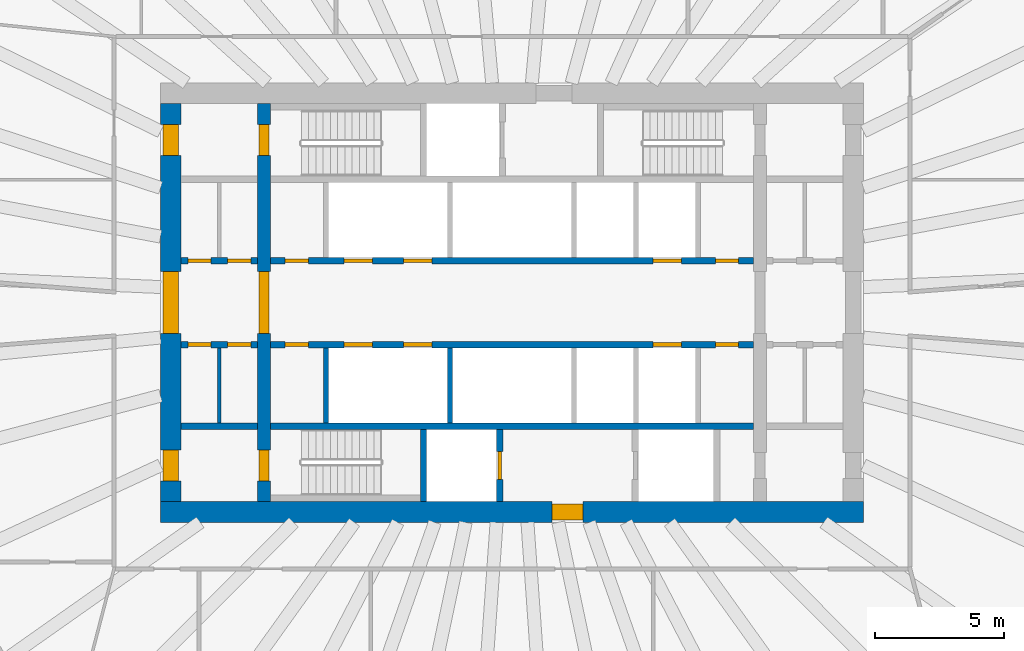
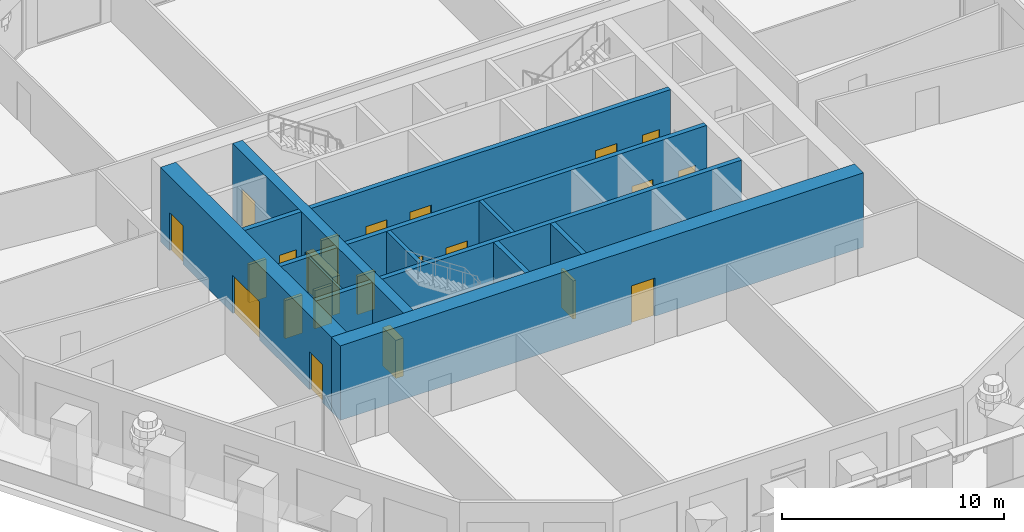
# One storey, part 4 of 12: 22 doors, 14 walls, 22 openings.
"""IFC4 building model written with IfcOpenShell, lengths in metres."""

import ifcopenshell
import ifcopenshell.guid

model = None  # the IFC model being written
_history = None  # IfcOwnerHistory: only IFC2X3 demands one
_inside = {}  # id of a spatial element -> (the spatial element, [elements in it])
_under = {}  # id of a project, library or spatial element -> (it, [spatial elements below it])
_declared = {}  # id of a project -> (the project, [libraries it declares])
_typed = {}  # id of a type object -> (the type object, [elements of that type])
_made_of = {}  # id of a material, layer set ... -> (it, [elements and type objects made of it])


def new_model(schema):
    """Start an empty IFC model of exactly this schema.

    Asked for "IFC4X3", IfcOpenShell would pick the latest addendum, in which some entities
    have other attributes; the version numbers below select the first issue.
    IFC2X3 requires an IfcOwnerHistory on every rooted entity: one is made here for all.
    """
    global model, _history
    if schema == "IFC4X3":
        model = ifcopenshell.file(schema_version=(4, 3, 0, 0))
    else:
        model = ifcopenshell.file(schema=schema)
    _inside.clear()
    _under.clear()
    _declared.clear()
    _typed.clear()
    _made_of.clear()
    _history = None
    if model.schema == "IFC2X3":
        org = make("IfcOrganization", Name="unknown")
        user = make(
            "IfcPersonAndOrganization",
            ThePerson=make("IfcPerson", FamilyName="unknown"),
            TheOrganization=org,
        )
        app = make(
            "IfcApplication",
            ApplicationDeveloper=org,
            Version="unknown",
            ApplicationFullName="unknown",
            ApplicationIdentifier="unknown",
        )
        _history = make(
            "IfcOwnerHistory",
            OwningUser=user,
            OwningApplication=app,
            ChangeAction="ADDED",
            CreationDate=0,
        )
    return model


def make(cls, **values):
    """One entity of the class cls with the attributes given. An attribute that is None is left unset."""
    return model.create_entity(
        cls, **{name: value for name, value in values.items() if value is not None}
    )


def rooted(cls, **values):
    """An entity with a GlobalId (a new one), such as an element, a storey or a relation."""
    return make(cls, GlobalId=ifcopenshell.guid.new(), OwnerHistory=_history, **values)


def si_unit(unit_type, name, prefix=None):
    """IfcSIUnit, for example si_unit("LENGTHUNIT", "METRE", prefix="MILLI")."""
    return make("IfcSIUnit", UnitType=unit_type, Prefix=prefix, Name=name)


def assignment(units):
    """IfcUnitAssignment: the units of a project."""
    return None if units is None else make("IfcUnitAssignment", Units=units)


def point(xyz):
    """IfcCartesianPoint."""
    return None if xyz is None else make("IfcCartesianPoint", Coordinates=xyz)


def direction(xyz):
    """IfcDirection."""
    return None if xyz is None else make("IfcDirection", DirectionRatios=xyz)


def frame(location, z_axis=None, x_axis=None):
    """IfcAxis2Placement3D, a coordinate frame: its origin and axes. An axis left out is left unset."""
    return make(
        "IfcAxis2Placement3D",
        Location=point(location),
        Axis=direction(z_axis),
        RefDirection=direction(x_axis),
    )


def frame_2d(location, x_axis=None):
    """IfcAxis2Placement2D, a coordinate frame in the plane: its origin and x axis."""
    return make(
        "IfcAxis2Placement2D", Location=point(location), RefDirection=direction(x_axis)
    )


def origin():
    """The frame at (0, 0, 0) with its axes left unset."""
    return frame((0.0, 0.0, 0.0))


def place(relative_to, where):
    """IfcLocalPlacement: puts the frame where relative to a parent placement (None: the world)."""
    return make(
        "IfcLocalPlacement", PlacementRelTo=relative_to, RelativePlacement=where
    )


def context(
    kind, dimensions, precision=None, world=None, true_north=None, identifier=None
):
    """IfcGeometricRepresentationContext, for example the 3D "Model" context."""
    return make(
        "IfcGeometricRepresentationContext",
        ContextIdentifier=identifier,
        ContextType=kind,
        CoordinateSpaceDimension=dimensions,
        Precision=precision,
        WorldCoordinateSystem=world,
        TrueNorth=true_north,
    )


def subcontext(parent, identifier, kind, view, scale=None):
    """IfcGeometricRepresentationSubContext, for example "Body" below "Model"."""
    return make(
        "IfcGeometricRepresentationSubContext",
        ContextIdentifier=identifier,
        ContextType=kind,
        ParentContext=parent,
        TargetScale=scale,
        TargetView=view,
    )


def project(units=None, contexts=None):
    """IfcProject with its units and contexts."""
    return rooted(
        "IfcProject",
        Name="project",
        RepresentationContexts=contexts,
        UnitsInContext=assignment(units),
    )


def spatial(cls, under=None, at=None, **own):
    """A site, building, storey or space (cls), placed at a placement, below another one or the project."""
    s = rooted(cls, ObjectPlacement=at, **own)
    if under is not None:
        _under.setdefault(under.id(), (under, []))[1].append(s)
    return s


def profile(cls, at=None, kind="AREA", **sizes):
    """A parametric profile (cls). Its sizes go by their IFC names, for example OverallWidth=200.0."""
    return make(cls, ProfileType=kind, Position=at, **sizes)


def rectangle(**sizes):
    """IfcRectangleProfileDef."""
    return profile("IfcRectangleProfileDef", **sizes)


def extrude(swept, where, along, depth):
    """IfcExtrudedAreaSolid: the profile swept, set in the frame where, extruded along a direction by depth."""
    return make(
        "IfcExtrudedAreaSolid",
        SweptArea=swept,
        Position=where,
        ExtrudedDirection=direction(along),
        Depth=depth,
    )


def shape(context_of_items, identifier, shape_type, items):
    """IfcShapeRepresentation: the items that make up one representation, for example the "Body"."""
    return make(
        "IfcShapeRepresentation",
        ContextOfItems=context_of_items,
        RepresentationIdentifier=identifier,
        RepresentationType=shape_type,
        Items=items,
    )


def material(Name=None, Category=None):
    """IfcMaterial."""
    return make("IfcMaterial", Name=Name, Category=Category)


def layer(
    of_material, thickness, ventilated=None, Name=None, Category=None, Priority=None
):
    """IfcMaterialLayer: one layer of a wall or slab, of a material (None: an air gap)."""
    return make(
        "IfcMaterialLayer",
        Material=of_material,
        LayerThickness=thickness,
        IsVentilated=ventilated,
        Name=Name,
        Category=Category,
        Priority=Priority,
    )


def layer_set(layers, Name=None):
    """IfcMaterialLayerSet."""
    return make("IfcMaterialLayerSet", MaterialLayers=layers, LayerSetName=Name)


def made_of(thing, what):
    """Note that an element or type object is made of a material, layer set ...; save() writes the relation."""
    if what is not None:
        _made_of.setdefault(what.id(), (what, []))[1].append(thing)
    return thing


def type_object(cls, material=None, **own):
    """A type object (cls), such as IfcWallType, which elements share."""
    return made_of(rooted(cls, **own), material)


def element(
    cls,
    number,
    at=None,
    inside=None,
    cuts=None,
    type_object=None,
    material=None,
    context=None,
    identifier="Body",
    shape_type=None,
    held_by="IfcProductDefinitionShape",
    body=None,
    shapes=None,
    **own,
):
    """One element of the class cls, such as IfcWall. Its Tag is "e" and its number.

    at: its placement. inside: the storey or other place that contains it. cuts: it is an
    opening in that element (IfcRelVoidsElement). A single representation is given by context,
    identifier, shape_type and body (its items); several are given by shapes. held_by: the class
    of the entity that holds the representations. save() writes the other relations.
    """
    e = rooted(cls, Tag="e%d" % number, ObjectPlacement=at, **own)
    if body is not None:
        shapes = [shape(context, identifier, shape_type, body)]
    if shapes is not None:
        e.Representation = make(held_by, Representations=shapes)
    if inside is not None:
        _inside.setdefault(inside.id(), (inside, []))[1].append(e)
    if cuts is not None:
        rooted(
            "IfcRelVoidsElement", RelatingBuildingElement=cuts, RelatedOpeningElement=e
        )
    if type_object is not None:
        _typed.setdefault(type_object.id(), (type_object, []))[1].append(e)
    return made_of(e, material)


def fill(opening, filler):
    """IfcRelFillsElement: the door or window that sits in an opening."""
    return rooted(
        "IfcRelFillsElement",
        RelatingOpeningElement=opening,
        RelatedBuildingElement=filler,
    )


def aggregate(whole, parts):
    """IfcRelAggregates: a whole, such as a stair, and the parts it consists of."""
    return rooted("IfcRelAggregates", RelatingObject=whole, RelatedObjects=parts)


def save(model, path):
    """Write the relations noted so far, then the file.

    IfcRelAggregates (storeys below a building ...), IfcRelContainedInSpatialStructure (elements
    in a storey), IfcRelDefinesByType, IfcRelAssociatesMaterial and IfcRelDeclares: one each for
    every whole, place, type object, material and project.
    """
    for whole, parts in _under.values():
        aggregate(whole, parts)
    for where, things in _inside.values():
        rooted(
            "IfcRelContainedInSpatialStructure",
            RelatedElements=things,
            RelatingStructure=where,
        )
    for kind, things in _typed.values():
        rooted("IfcRelDefinesByType", RelatedObjects=things, RelatingType=kind)
    for what, things in _made_of.values():
        rooted("IfcRelAssociatesMaterial", RelatedObjects=things, RelatingMaterial=what)
    for by, libraries in _declared.values():
        rooted("IfcRelDeclares", RelatingContext=by, RelatedDefinitions=libraries)
    model.write(path)


model = new_model("IFC4")

# Units and contexts
model_context = context("Model", 3, precision=1e-05, world=origin(), true_north=direction((0.0, 1.0)))
body_context = subcontext(model_context, "Body", "Model", "MODEL_VIEW")
ifc_project = project(units=[si_unit("LENGTHUNIT", "METRE"), si_unit("AREAUNIT", "SQUARE_METRE"), si_unit("VOLUMEUNIT", "CUBIC_METRE"), si_unit("PLANEANGLEUNIT", "RADIAN"), si_unit("MASSUNIT", "GRAM", prefix="KILO")], contexts=[model_context])

# Site, building, storey
site_placement = place(None, origin())
site = spatial("IfcSite", under=ifc_project, at=site_placement, CompositionType="ELEMENT")
building_placement = place(site_placement, origin())
building = spatial("IfcBuilding", under=site, at=building_placement, Name="Frailejon Research Tower", CompositionType="ELEMENT")
storey_placement = place(building_placement, frame((0.0, 0.0, 122.0)))
storey = spatial("IfcBuildingStorey", under=building, at=storey_placement, Name="L26", CompositionType="ELEMENT", Elevation=122.0)

# Wall
ifc_material_1 = material(Name="Plasterboard on steel studs", Category="steel")
ifc_layer_1 = layer(ifc_material_1, 0.125)
ifc_layer_set_1 = layer_set([ifc_layer_1], Name="Core partition 125")
wall_type_1 = type_object("IfcWallType", Name="Core partition 125", PredefinedType="PARTITIONING", material=ifc_layer_set_1)
wall_1_placement = place(storey_placement, frame((-11.324951171875, -4.64990234375, 0.0), z_axis=(0.0, 0.0, 1.0), x_axis=(0.0, 1.0, 0.0)))
element("IfcWall", 1, at=wall_1_placement, inside=storey, type_object=wall_type_1, Name="Core partition", PredefinedType="PARTITIONING", context=body_context, shape_type="SweptSolid", body=[
    extrude(rectangle(XDim=2.89990234375, YDim=0.125, at=frame_2d((1.449951171875, 0.0))), origin(), (0.0, 0.0, 1.0), 4.10009765625),
])

# Wall, openings, doors
ifc_material_2 = material(Name="Concrete C70/85", Category="concrete")
ifc_layer_2 = layer(ifc_material_2, 0.5)
ifc_layer_set_2 = layer_set([ifc_layer_2], Name="Core shear wall 500 C70/85")
wall_type_2 = type_object("IfcWallType", Name="Core shear wall 500 C70/85", PredefinedType="SHEAR", material=ifc_layer_set_2)
wall_2_placement = place(storey_placement, frame((-9.60009765625, -7.699951171875, 0.0), z_axis=(0.0, 0.0, 1.0), x_axis=(0.0, 1.0, 0.0)))
wall_2 = element("IfcWall", 2, at=wall_2_placement, inside=storey, type_object=wall_type_2, Name="Core shear wall", PredefinedType="SHEAR", context=body_context, shape_type="SweptSolid", body=[
    extrude(rectangle(XDim=15.39990234375, YDim=0.5, at=frame_2d((7.699951171875, 0.0))), origin(), (0.0, 0.0, 1.0), 4.10009765625),
])
opening_1_placement = place(wall_2_placement, frame((6.5, 0.0, 0.0)))
opening_1 = element("IfcOpeningElement", 3, at=opening_1_placement, cuts=wall_2, Name="Opening D2", PredefinedType="OPENING", context=body_context, shape_type="SweptSolid", body=[
    extrude(rectangle(XDim=2.39990234375, YDim=2.10009765625, at=frame_2d((1.199951171875, 1.050048828125))), frame((0.0, 0.260009765625, 0.0), z_axis=(0.0, -1.0, 0.0), x_axis=(1.0, 0.0, 0.0)), (0.0, 0.0, 1.0), 0.52001953125),
])
opening_2_placement = place(wall_2_placement, frame((13.39990234375, 0.0, 0.0)))
opening_2 = element("IfcOpeningElement", 4, at=opening_2_placement, cuts=wall_2, Name="Opening D1", PredefinedType="OPENING", context=body_context, shape_type="SweptSolid", body=[
    extrude(rectangle(XDim=1.199951171875, YDim=2.10009765625, at=frame_2d((0.60009765625, 1.050048828125))), frame((0.0, 0.260009765625, 0.0), z_axis=(0.0, -1.0, 0.0), x_axis=(1.0, 0.0, 0.0)), (0.0, 0.0, 1.0), 0.52001953125),
])
opening_3_placement = place(wall_2_placement, frame((0.800048828125, 0.0, 0.0)))
opening_3 = element("IfcOpeningElement", 5, at=opening_3_placement, cuts=wall_2, Name="Opening D1", PredefinedType="OPENING", context=body_context, shape_type="SweptSolid", body=[
    extrude(rectangle(XDim=1.199951171875, YDim=2.10009765625, at=frame_2d((0.60009765625, 1.050048828125))), frame((0.0, 0.260009765625, 0.0), z_axis=(0.0, -1.0, 0.0), x_axis=(1.0, 0.0, 0.0)), (0.0, 0.0, 1.0), 0.52001953125),
])
ifc_material_3 = material(Name="Steel", Category="steel")
door_type_1 = type_object("IfcDoorType", Name="Lobby double door", OperationType="DOUBLE_DOOR_SINGLE_SWING", PredefinedType="DOOR", material=ifc_material_3)
door_1_placement = place(opening_1_placement, origin())
door_1 = element("IfcDoor", 6, at=door_1_placement, inside=storey, type_object=door_type_1, Name="Lobby door", OperationType="DOUBLE_DOOR_SINGLE_SWING", OverallHeight=2.10009765625, OverallWidth=2.39990234375, PredefinedType="DOOR", context=body_context, shape_type="SweptSolid", body=[
    extrude(rectangle(XDim=2.39990234375, YDim=2.10009765625, at=frame_2d((1.199951171875, 1.050048828125))), frame((0.0, 0.199951171875, 0.0), z_axis=(0.0, -1.0, 0.0), x_axis=(1.0, 0.0, 0.0)), (0.0, 0.0, 1.0), 0.39990234375),
])
fill(opening_1, door_1)
ifc_material_4 = material(Name="Steel", Category="steel")
door_type_2 = type_object("IfcDoorType", Name="Stair door", OperationType="SINGLE_SWING_LEFT", PredefinedType="DOOR", material=ifc_material_4)
door_2_placement = place(opening_2_placement, origin())
door_2 = element("IfcDoor", 7, at=door_2_placement, inside=storey, type_object=door_type_2, Name="Stair door ST1", OperationType="SINGLE_SWING_RIGHT", OverallHeight=2.10009765625, OverallWidth=1.199951171875, PredefinedType="DOOR", context=body_context, shape_type="SweptSolid", body=[
    extrude(rectangle(XDim=1.199951171875, YDim=2.10009765625, at=frame_2d((0.60009765625, 1.050048828125))), frame((0.0, 0.199951171875, 0.0), z_axis=(0.0, -1.0, 0.0), x_axis=(1.0, 0.0, 0.0)), (0.0, 0.0, 1.0), 0.39990234375),
])
fill(opening_2, door_2)
door_3_placement = place(opening_3_placement, origin())
door_3 = element("IfcDoor", 8, at=door_3_placement, inside=storey, type_object=door_type_2, Name="Stair door ST2", OperationType="SINGLE_SWING_RIGHT", OverallHeight=2.10009765625, OverallWidth=1.199951171875, PredefinedType="DOOR", context=body_context, shape_type="SweptSolid", body=[
    extrude(rectangle(XDim=1.199951171875, YDim=2.10009765625, at=frame_2d((0.60009765625, 1.050048828125))), frame((0.0, 0.199951171875, 0.0), z_axis=(0.0, -1.0, 0.0), x_axis=(1.0, 0.0, 0.0)), (0.0, 0.0, 1.0), 0.39990234375),
])
fill(opening_3, door_3)

# Wall, opening, door
ifc_material_5 = material(Name="Concrete C70/85", Category="concrete")
ifc_layer_3 = layer(ifc_material_5, 0.800048828125)
ifc_layer_set_3 = layer_set([ifc_layer_3], Name="Core shear wall 800 C70/85")
wall_type_3 = type_object("IfcWallType", Name="Core shear wall 800 C70/85", PredefinedType="SHEAR", material=ifc_layer_set_3)
wall_3_placement = place(storey_placement, frame((-13.60009765625, -8.10009765625, 0.0), z_axis=(0.0, 0.0, 1.0), x_axis=(1.0, 0.0, 0.0)))
wall_3 = element("IfcWall", 9, at=wall_3_placement, inside=storey, type_object=wall_type_3, Name="Core shear wall", PredefinedType="SHEAR", context=body_context, shape_type="SweptSolid", body=[
    extrude(rectangle(XDim=27.2001953125, YDim=0.800048828125, at=frame_2d((13.60009765625, 0.0))), origin(), (0.0, 0.0, 1.0), 4.10009765625),
])
opening_4_placement = place(wall_3_placement, frame((15.14990234375, 0.0, 0.0)))
opening_4 = element("IfcOpeningElement", 10, at=opening_4_placement, cuts=wall_3, Name="Opening D3", PredefinedType="OPENING", context=body_context, shape_type="SweptSolid", body=[
    extrude(rectangle(XDim=1.199951171875, YDim=2.10009765625, at=frame_2d((0.60009765625, 1.050048828125))), frame((0.0, 0.409912109375, 0.0), z_axis=(0.0, -1.0, 0.0), x_axis=(1.0, 0.0, 0.0)), (0.0, 0.0, 1.0), 0.820068359375),
])
ifc_material_6 = material(Name="Steel", Category="steel")
door_type_3 = type_object("IfcDoorType", Name="Firefighting lobby door", OperationType="SINGLE_SWING_LEFT", PredefinedType="DOOR", material=ifc_material_6)
door_4_placement = place(opening_4_placement, origin())
door_4 = element("IfcDoor", 11, at=door_4_placement, inside=storey, type_object=door_type_3, Name="Firefighting lobby door", OperationType="SINGLE_SWING_RIGHT", OverallHeight=2.10009765625, OverallWidth=1.199951171875, PredefinedType="DOOR", context=body_context, shape_type="SweptSolid", body=[
    extrude(rectangle(XDim=1.199951171875, YDim=2.10009765625, at=frame_2d((0.60009765625, 1.050048828125))), frame((0.0, 0.300048828125, 0.0), z_axis=(0.0, -1.0, 0.0), x_axis=(1.0, 0.0, 0.0)), (0.0, 0.0, 1.0), 0.60009765625),
])
fill(opening_4, door_4)

# Wall, openings, doors
wall_4_placement = place(storey_placement, frame((-13.199951171875, -7.699951171875, 0.0), z_axis=(0.0, 0.0, 1.0), x_axis=(0.0, 1.0, 0.0)))
wall_4 = element("IfcWall", 12, at=wall_4_placement, inside=storey, type_object=wall_type_3, Name="Core shear wall", PredefinedType="SHEAR", context=body_context, shape_type="SweptSolid", body=[
    extrude(rectangle(XDim=15.39990234375, YDim=0.800048828125, at=frame_2d((7.699951171875, 0.0))), origin(), (0.0, 0.0, 1.0), 4.10009765625),
])
opening_5_placement = place(wall_4_placement, frame((6.5, 0.0, 0.0)))
opening_5 = element("IfcOpeningElement", 13, at=opening_5_placement, cuts=wall_4, Name="Opening D2", PredefinedType="OPENING", context=body_context, shape_type="SweptSolid", body=[
    extrude(rectangle(XDim=2.39990234375, YDim=2.10009765625, at=frame_2d((1.199951171875, 1.050048828125))), frame((0.0, 0.409912109375, 0.0), z_axis=(0.0, -1.0, 0.0), x_axis=(1.0, 0.0, 0.0)), (0.0, 0.0, 1.0), 0.820068359375),
])
opening_6_placement = place(wall_4_placement, frame((13.39990234375, 0.0, 0.0)))
opening_6 = element("IfcOpeningElement", 14, at=opening_6_placement, cuts=wall_4, Name="Opening D7", PredefinedType="OPENING", context=body_context, shape_type="SweptSolid", body=[
    extrude(rectangle(XDim=1.199951171875, YDim=2.10009765625, at=frame_2d((0.60009765625, 1.050048828125))), frame((0.0, 0.409912109375, 0.0), z_axis=(0.0, -1.0, 0.0), x_axis=(1.0, 0.0, 0.0)), (0.0, 0.0, 1.0), 0.820068359375),
])
opening_7_placement = place(wall_4_placement, frame((0.800048828125, 0.0, 0.0)))
opening_7 = element("IfcOpeningElement", 15, at=opening_7_placement, cuts=wall_4, Name="Opening D7", PredefinedType="OPENING", context=body_context, shape_type="SweptSolid", body=[
    extrude(rectangle(XDim=1.199951171875, YDim=2.10009765625, at=frame_2d((0.60009765625, 1.050048828125))), frame((0.0, 0.409912109375, 0.0), z_axis=(0.0, -1.0, 0.0), x_axis=(1.0, 0.0, 0.0)), (0.0, 0.0, 1.0), 0.820068359375),
])
door_5_placement = place(opening_5_placement, origin())
door_5 = element("IfcDoor", 16, at=door_5_placement, inside=storey, type_object=door_type_1, Name="Lobby door", OperationType="DOUBLE_DOOR_SINGLE_SWING", OverallHeight=2.10009765625, OverallWidth=2.39990234375, PredefinedType="DOOR", context=body_context, shape_type="SweptSolid", body=[
    extrude(rectangle(XDim=2.39990234375, YDim=2.10009765625, at=frame_2d((1.199951171875, 1.050048828125))), frame((0.0, 0.300048828125, 0.0), z_axis=(0.0, -1.0, 0.0), x_axis=(1.0, 0.0, 0.0)), (0.0, 0.0, 1.0), 0.60009765625),
])
fill(opening_5, door_5)
ifc_material_7 = material(Name="Steel", Category="steel")
door_type_4 = type_object("IfcDoorType", Name="Stair exit door", OperationType="SINGLE_SWING_LEFT", PredefinedType="DOOR", material=ifc_material_7)
door_6_placement = place(opening_6_placement, origin())
door_6 = element("IfcDoor", 17, at=door_6_placement, inside=storey, type_object=door_type_4, Name="Stair exit door ST1", OperationType="SINGLE_SWING_LEFT", OverallHeight=2.10009765625, OverallWidth=1.199951171875, PredefinedType="DOOR", context=body_context, shape_type="SweptSolid", body=[
    extrude(rectangle(XDim=1.199951171875, YDim=2.10009765625, at=frame_2d((0.60009765625, 1.050048828125))), frame((0.0, 0.300048828125, 0.0), z_axis=(0.0, -1.0, 0.0), x_axis=(1.0, 0.0, 0.0)), (0.0, 0.0, 1.0), 0.60009765625),
])
fill(opening_6, door_6)
door_7_placement = place(opening_7_placement, origin())
door_7 = element("IfcDoor", 18, at=door_7_placement, inside=storey, type_object=door_type_4, Name="Stair exit door ST2", OperationType="SINGLE_SWING_LEFT", OverallHeight=2.10009765625, OverallWidth=1.199951171875, PredefinedType="DOOR", context=body_context, shape_type="SweptSolid", body=[
    extrude(rectangle(XDim=1.199951171875, YDim=2.10009765625, at=frame_2d((0.60009765625, 1.050048828125))), frame((0.0, 0.300048828125, 0.0), z_axis=(0.0, -1.0, 0.0), x_axis=(1.0, 0.0, 0.0)), (0.0, 0.0, 1.0), 0.60009765625),
])
fill(opening_7, door_7)

# Walls
ifc_material_8 = material(Name="Concrete C70/85", Category="concrete")
ifc_layer_4 = layer(ifc_material_8, 0.199951171875)
ifc_layer_set_4 = layer_set([ifc_layer_4], Name="Shaft wall 200 C70/85")
wall_type_4 = type_object("IfcWallType", Name="Shaft wall 200 C70/85", PredefinedType="SOLIDWALL", material=ifc_layer_set_4)
for number, where, z_axis, x_axis, name in (
    (19, (-7.199951171875, -4.64990234375, 0.0), (0.0, 0.0, 1.0), (0.0, 1.0, 0.0), "Shaft wall"),
    (20, (-2.39990234375, -4.64990234375, 0.0), (0.0, 0.0, 1.0), (0.0, 1.0, 0.0), "Shaft wall"),
):
    element("IfcWall", number, at=place(storey_placement, frame(where, z_axis=z_axis, x_axis=x_axis)), inside=storey, type_object=wall_type_4, Name=name, PredefinedType="SOLIDWALL", context=body_context, shape_type="SweptSolid", body=[
        extrude(rectangle(XDim=2.89990234375, YDim=0.199951171875, at=frame_2d((1.449951171875, 0.0))), origin(), (0.0, 0.0, 1.0), 4.10009765625),
    ])

# Wall, openings, doors
ifc_material_9 = material(Name="Concrete C70/85", Category="concrete")
ifc_layer_5 = layer(ifc_material_9, 0.25)
ifc_layer_set_5 = layer_set([ifc_layer_5], Name="Shaft wall 250 C70/85")
wall_type_5 = type_object("IfcWallType", Name="Shaft wall 250 C70/85", PredefinedType="SOLIDWALL", material=ifc_layer_set_5)
wall_5_placement = place(storey_placement, frame((-12.800048828125, 1.625, 0.0), z_axis=(0.0, 0.0, 1.0), x_axis=(1.0, 0.0, 0.0)))
wall_5 = element("IfcWall", 21, at=wall_5_placement, inside=storey, type_object=wall_type_5, Name="Shaft wall", PredefinedType="SOLIDWALL", context=body_context, shape_type="SweptSolid", body=[
    extrude(rectangle(XDim=2.949951171875, YDim=0.25, at=frame_2d((1.47509765625, 0.0))), origin(), (0.0, 0.0, 1.0), 4.10009765625),
])
opening_8_placement = place(wall_5_placement, frame((0.256103515625, 0.0, 0.0)))
opening_8 = element("IfcOpeningElement", 22, at=opening_8_placement, cuts=wall_5, Name="Opening D8", PredefinedType="OPENING", context=body_context, shape_type="SweptSolid", body=[
    extrude(rectangle(XDim=0.89990234375, YDim=2.10009765625, at=frame_2d((0.449951171875, 1.050048828125))), frame((0.0, 0.135009765625, 0.0), z_axis=(0.0, -1.0, 0.0), x_axis=(1.0, 0.0, 0.0)), (0.0, 0.0, 1.0), 0.27001953125),
])
opening_9_placement = place(wall_5_placement, frame((1.793701171875, 0.0, 0.0)))
opening_9 = element("IfcOpeningElement", 23, at=opening_9_placement, cuts=wall_5, Name="Opening D8", PredefinedType="OPENING", context=body_context, shape_type="SweptSolid", body=[
    extrude(rectangle(XDim=0.89990234375, YDim=2.10009765625, at=frame_2d((0.449951171875, 1.050048828125))), frame((0.0, 0.135009765625, 0.0), z_axis=(0.0, -1.0, 0.0), x_axis=(1.0, 0.0, 0.0)), (0.0, 0.0, 1.0), 0.27001953125),
])
ifc_material_10 = material(Name="Steel", Category="steel")
door_type_5 = type_object("IfcDoorType", Name="Core room door", OperationType="SINGLE_SWING_LEFT", PredefinedType="DOOR", material=ifc_material_10)
door_8_placement = place(opening_8_placement, origin())
door_8 = element("IfcDoor", 24, at=door_8_placement, inside=storey, type_object=door_type_5, Name="Room door", OperationType="SINGLE_SWING_RIGHT", OverallHeight=2.10009765625, OverallWidth=0.89990234375, PredefinedType="DOOR", context=body_context, shape_type="SweptSolid", body=[
    extrude(rectangle(XDim=0.89990234375, YDim=2.10009765625, at=frame_2d((0.449951171875, 1.050048828125))), frame((0.0, 0.074951171875, 0.0), z_axis=(0.0, -1.0, 0.0), x_axis=(1.0, 0.0, 0.0)), (0.0, 0.0, 1.0), 0.14990234375),
])
fill(opening_8, door_8)
door_9_placement = place(opening_9_placement, origin())
door_9 = element("IfcDoor", 25, at=door_9_placement, inside=storey, type_object=door_type_5, Name="Room door", OperationType="SINGLE_SWING_LEFT", OverallHeight=2.10009765625, OverallWidth=0.89990234375, PredefinedType="DOOR", context=body_context, shape_type="SweptSolid", body=[
    extrude(rectangle(XDim=0.89990234375, YDim=2.10009765625, at=frame_2d((0.449951171875, 1.050048828125))), frame((0.0, 0.074951171875, 0.0), z_axis=(0.0, -1.0, 0.0), x_axis=(1.0, 0.0, 0.0)), (0.0, 0.0, 1.0), 0.14990234375),
])
fill(opening_9, door_9)

wall_6_placement = place(storey_placement, frame((-9.35009765625, 1.625, 0.0), z_axis=(0.0, 0.0, 1.0), x_axis=(1.0, 0.0, 0.0)))
wall_6 = element("IfcWall", 26, at=wall_6_placement, inside=storey, type_object=wall_type_5, Name="Shaft wall", PredefinedType="SOLIDWALL", context=body_context, shape_type="SweptSolid", body=[
    extrude(rectangle(XDim=18.7001953125, YDim=0.25, at=frame_2d((9.35009765625, 0.0))), origin(), (0.0, 0.0, 1.0), 4.10009765625),
])
opening_10_placement = place(wall_6_placement, frame((2.85009765625, 0.0, 0.0)))
opening_10 = element("IfcOpeningElement", 27, at=opening_10_placement, cuts=wall_6, Name="Opening LD", PredefinedType="OPENING", context=body_context, shape_type="SweptSolid", body=[
    extrude(rectangle(XDim=1.10009765625, YDim=2.10009765625, at=frame_2d((0.550048828125, 1.050048828125))), frame((0.0, 0.135009765625, 0.0), z_axis=(0.0, -1.0, 0.0), x_axis=(1.0, 0.0, 0.0)), (0.0, 0.0, 1.0), 0.27001953125),
])
opening_11_placement = place(wall_6_placement, frame((5.14990234375, 0.0, 0.0)))
opening_11 = element("IfcOpeningElement", 28, at=opening_11_placement, cuts=wall_6, Name="Opening LD", PredefinedType="OPENING", context=body_context, shape_type="SweptSolid", body=[
    extrude(rectangle(XDim=1.10009765625, YDim=2.10009765625, at=frame_2d((0.550048828125, 1.050048828125))), frame((0.0, 0.135009765625, 0.0), z_axis=(0.0, -1.0, 0.0), x_axis=(1.0, 0.0, 0.0)), (0.0, 0.0, 1.0), 0.27001953125),
])
opening_12_placement = place(wall_6_placement, frame((14.800048828125, 0.0, 0.0)))
opening_12 = element("IfcOpeningElement", 29, at=opening_12_placement, cuts=wall_6, Name="Opening LD", PredefinedType="OPENING", context=body_context, shape_type="SweptSolid", body=[
    extrude(rectangle(XDim=1.10009765625, YDim=2.10009765625, at=frame_2d((0.550048828125, 1.050048828125))), frame((0.0, 0.135009765625, 0.0), z_axis=(0.0, -1.0, 0.0), x_axis=(1.0, 0.0, 0.0)), (0.0, 0.0, 1.0), 0.27001953125),
])
opening_13_placement = place(wall_6_placement, frame((0.574951171875, 0.0, 0.0)))
opening_13 = element("IfcOpeningElement", 30, at=opening_13_placement, cuts=wall_6, Name="Opening D8", PredefinedType="OPENING", context=body_context, shape_type="SweptSolid", body=[
    extrude(rectangle(XDim=0.89990234375, YDim=2.10009765625, at=frame_2d((0.449951171875, 1.050048828125))), frame((0.0, 0.135009765625, 0.0), z_axis=(0.0, -1.0, 0.0), x_axis=(1.0, 0.0, 0.0)), (0.0, 0.0, 1.0), 0.27001953125),
])
opening_14_placement = place(wall_6_placement, frame((17.22509765625, 0.0, 0.0)))
opening_14 = element("IfcOpeningElement", 31, at=opening_14_placement, cuts=wall_6, Name="Opening D8", PredefinedType="OPENING", context=body_context, shape_type="SweptSolid", body=[
    extrude(rectangle(XDim=0.89990234375, YDim=2.10009765625, at=frame_2d((0.449951171875, 1.050048828125))), frame((0.0, 0.135009765625, 0.0), z_axis=(0.0, -1.0, 0.0), x_axis=(1.0, 0.0, 0.0)), (0.0, 0.0, 1.0), 0.27001953125),
])
door_10_placement = place(opening_13_placement, origin())
door_10 = element("IfcDoor", 32, at=door_10_placement, inside=storey, type_object=door_type_5, Name="Room door", OperationType="SINGLE_SWING_RIGHT", OverallHeight=2.10009765625, OverallWidth=0.89990234375, PredefinedType="DOOR", context=body_context, shape_type="SweptSolid", body=[
    extrude(rectangle(XDim=0.89990234375, YDim=2.10009765625, at=frame_2d((0.449951171875, 1.050048828125))), frame((0.0, 0.074951171875, 0.0), z_axis=(0.0, -1.0, 0.0), x_axis=(1.0, 0.0, 0.0)), (0.0, 0.0, 1.0), 0.14990234375),
])
fill(opening_13, door_10)
door_11_placement = place(opening_14_placement, origin())
door_11 = element("IfcDoor", 33, at=door_11_placement, inside=storey, type_object=door_type_5, Name="Room door", OperationType="SINGLE_SWING_LEFT", OverallHeight=2.10009765625, OverallWidth=0.89990234375, PredefinedType="DOOR", context=body_context, shape_type="SweptSolid", body=[
    extrude(rectangle(XDim=0.89990234375, YDim=2.10009765625, at=frame_2d((0.449951171875, 1.050048828125))), frame((0.0, 0.074951171875, 0.0), z_axis=(0.0, -1.0, 0.0), x_axis=(1.0, 0.0, 0.0)), (0.0, 0.0, 1.0), 0.14990234375),
])
fill(opening_14, door_11)
ifc_material_11 = material(Name="Steel", Category="steel")
door_type_6 = type_object("IfcDoorType", Name="Lift landing door", OperationType="DOUBLE_DOOR_SLIDING", PredefinedType="DOOR", material=ifc_material_11)
door_12_placement = place(opening_10_placement, origin())
door_12 = element("IfcDoor", 34, at=door_12_placement, inside=storey, type_object=door_type_6, Name="Lift landing door", OperationType="DOUBLE_DOOR_SLIDING", OverallHeight=2.10009765625, OverallWidth=1.10009765625, PredefinedType="DOOR", context=body_context, shape_type="SweptSolid", body=[
    extrude(rectangle(XDim=1.10009765625, YDim=2.10009765625, at=frame_2d((0.550048828125, 1.050048828125))), frame((0.0, 0.074951171875, 0.0), z_axis=(0.0, -1.0, 0.0), x_axis=(1.0, 0.0, 0.0)), (0.0, 0.0, 1.0), 0.14990234375),
])
fill(opening_10, door_12)
door_13_placement = place(opening_11_placement, origin())
door_13 = element("IfcDoor", 35, at=door_13_placement, inside=storey, type_object=door_type_6, Name="Lift landing door", OperationType="DOUBLE_DOOR_SLIDING", OverallHeight=2.10009765625, OverallWidth=1.10009765625, PredefinedType="DOOR", context=body_context, shape_type="SweptSolid", body=[
    extrude(rectangle(XDim=1.10009765625, YDim=2.10009765625, at=frame_2d((0.550048828125, 1.050048828125))), frame((0.0, 0.074951171875, 0.0), z_axis=(0.0, -1.0, 0.0), x_axis=(1.0, 0.0, 0.0)), (0.0, 0.0, 1.0), 0.14990234375),
])
fill(opening_11, door_13)
door_14_placement = place(opening_12_placement, origin())
door_14 = element("IfcDoor", 36, at=door_14_placement, inside=storey, type_object=door_type_6, Name="Lift landing door", OperationType="DOUBLE_DOOR_SLIDING", OverallHeight=2.10009765625, OverallWidth=1.10009765625, PredefinedType="DOOR", context=body_context, shape_type="SweptSolid", body=[
    extrude(rectangle(XDim=1.10009765625, YDim=2.10009765625, at=frame_2d((0.550048828125, 1.050048828125))), frame((0.0, 0.074951171875, 0.0), z_axis=(0.0, -1.0, 0.0), x_axis=(1.0, 0.0, 0.0)), (0.0, 0.0, 1.0), 0.14990234375),
])
fill(opening_12, door_14)

wall_7_placement = place(storey_placement, frame((-12.800048828125, -1.625, 0.0), z_axis=(0.0, 0.0, 1.0), x_axis=(1.0, 0.0, 0.0)))
wall_7 = element("IfcWall", 37, at=wall_7_placement, inside=storey, type_object=wall_type_5, Name="Shaft wall", PredefinedType="SOLIDWALL", context=body_context, shape_type="SweptSolid", body=[
    extrude(rectangle(XDim=2.949951171875, YDim=0.25, at=frame_2d((1.47509765625, 0.0))), origin(), (0.0, 0.0, 1.0), 4.10009765625),
])
opening_15_placement = place(wall_7_placement, frame((0.256103515625, 0.0, 0.0)))
opening_15 = element("IfcOpeningElement", 38, at=opening_15_placement, cuts=wall_7, Name="Opening D8", PredefinedType="OPENING", context=body_context, shape_type="SweptSolid", body=[
    extrude(rectangle(XDim=0.89990234375, YDim=2.10009765625, at=frame_2d((0.449951171875, 1.050048828125))), frame((0.0, 0.135009765625, 0.0), z_axis=(0.0, -1.0, 0.0), x_axis=(1.0, 0.0, 0.0)), (0.0, 0.0, 1.0), 0.27001953125),
])
opening_16_placement = place(wall_7_placement, frame((1.793701171875, 0.0, 0.0)))
opening_16 = element("IfcOpeningElement", 39, at=opening_16_placement, cuts=wall_7, Name="Opening D8", PredefinedType="OPENING", context=body_context, shape_type="SweptSolid", body=[
    extrude(rectangle(XDim=0.89990234375, YDim=2.10009765625, at=frame_2d((0.449951171875, 1.050048828125))), frame((0.0, 0.135009765625, 0.0), z_axis=(0.0, -1.0, 0.0), x_axis=(1.0, 0.0, 0.0)), (0.0, 0.0, 1.0), 0.27001953125),
])
door_15_placement = place(opening_15_placement, origin())
door_15 = element("IfcDoor", 40, at=door_15_placement, inside=storey, type_object=door_type_5, Name="Room door", OperationType="SINGLE_SWING_RIGHT", OverallHeight=2.10009765625, OverallWidth=0.89990234375, PredefinedType="DOOR", context=body_context, shape_type="SweptSolid", body=[
    extrude(rectangle(XDim=0.89990234375, YDim=2.10009765625, at=frame_2d((0.449951171875, 1.050048828125))), frame((0.0, 0.074951171875, 0.0), z_axis=(0.0, -1.0, 0.0), x_axis=(1.0, 0.0, 0.0)), (0.0, 0.0, 1.0), 0.14990234375),
])
fill(opening_15, door_15)
door_16_placement = place(opening_16_placement, origin())
door_16 = element("IfcDoor", 41, at=door_16_placement, inside=storey, type_object=door_type_5, Name="Room door", OperationType="SINGLE_SWING_LEFT", OverallHeight=2.10009765625, OverallWidth=0.89990234375, PredefinedType="DOOR", context=body_context, shape_type="SweptSolid", body=[
    extrude(rectangle(XDim=0.89990234375, YDim=2.10009765625, at=frame_2d((0.449951171875, 1.050048828125))), frame((0.0, 0.074951171875, 0.0), z_axis=(0.0, -1.0, 0.0), x_axis=(1.0, 0.0, 0.0)), (0.0, 0.0, 1.0), 0.14990234375),
])
fill(opening_16, door_16)

wall_8_placement = place(storey_placement, frame((-9.35009765625, -1.625, 0.0), z_axis=(0.0, 0.0, 1.0), x_axis=(1.0, 0.0, 0.0)))
wall_8 = element("IfcWall", 42, at=wall_8_placement, inside=storey, type_object=wall_type_5, Name="Shaft wall", PredefinedType="SOLIDWALL", context=body_context, shape_type="SweptSolid", body=[
    extrude(rectangle(XDim=18.7001953125, YDim=0.25, at=frame_2d((9.35009765625, 0.0))), origin(), (0.0, 0.0, 1.0), 4.10009765625),
])
opening_17_placement = place(wall_8_placement, frame((2.85009765625, 0.0, 0.0)))
opening_17 = element("IfcOpeningElement", 43, at=opening_17_placement, cuts=wall_8, Name="Opening LD", PredefinedType="OPENING", context=body_context, shape_type="SweptSolid", body=[
    extrude(rectangle(XDim=1.10009765625, YDim=2.10009765625, at=frame_2d((0.550048828125, 1.050048828125))), frame((0.0, 0.135009765625, 0.0), z_axis=(0.0, -1.0, 0.0), x_axis=(1.0, 0.0, 0.0)), (0.0, 0.0, 1.0), 0.27001953125),
])
opening_18_placement = place(wall_8_placement, frame((5.14990234375, 0.0, 0.0)))
opening_18 = element("IfcOpeningElement", 44, at=opening_18_placement, cuts=wall_8, Name="Opening LD", PredefinedType="OPENING", context=body_context, shape_type="SweptSolid", body=[
    extrude(rectangle(XDim=1.10009765625, YDim=2.10009765625, at=frame_2d((0.550048828125, 1.050048828125))), frame((0.0, 0.135009765625, 0.0), z_axis=(0.0, -1.0, 0.0), x_axis=(1.0, 0.0, 0.0)), (0.0, 0.0, 1.0), 0.27001953125),
])
opening_19_placement = place(wall_8_placement, frame((14.800048828125, 0.0, 0.0)))
opening_19 = element("IfcOpeningElement", 45, at=opening_19_placement, cuts=wall_8, Name="Opening LD", PredefinedType="OPENING", context=body_context, shape_type="SweptSolid", body=[
    extrude(rectangle(XDim=1.10009765625, YDim=2.10009765625, at=frame_2d((0.550048828125, 1.050048828125))), frame((0.0, 0.135009765625, 0.0), z_axis=(0.0, -1.0, 0.0), x_axis=(1.0, 0.0, 0.0)), (0.0, 0.0, 1.0), 0.27001953125),
])
opening_20_placement = place(wall_8_placement, frame((0.574951171875, 0.0, 0.0)))
opening_20 = element("IfcOpeningElement", 46, at=opening_20_placement, cuts=wall_8, Name="Opening D8", PredefinedType="OPENING", context=body_context, shape_type="SweptSolid", body=[
    extrude(rectangle(XDim=0.89990234375, YDim=2.10009765625, at=frame_2d((0.449951171875, 1.050048828125))), frame((0.0, 0.135009765625, 0.0), z_axis=(0.0, -1.0, 0.0), x_axis=(1.0, 0.0, 0.0)), (0.0, 0.0, 1.0), 0.27001953125),
])
opening_21_placement = place(wall_8_placement, frame((17.22509765625, 0.0, 0.0)))
opening_21 = element("IfcOpeningElement", 47, at=opening_21_placement, cuts=wall_8, Name="Opening D8", PredefinedType="OPENING", context=body_context, shape_type="SweptSolid", body=[
    extrude(rectangle(XDim=0.89990234375, YDim=2.10009765625, at=frame_2d((0.449951171875, 1.050048828125))), frame((0.0, 0.135009765625, 0.0), z_axis=(0.0, -1.0, 0.0), x_axis=(1.0, 0.0, 0.0)), (0.0, 0.0, 1.0), 0.27001953125),
])
door_17_placement = place(opening_20_placement, origin())
door_17 = element("IfcDoor", 48, at=door_17_placement, inside=storey, type_object=door_type_5, Name="Room door", OperationType="SINGLE_SWING_RIGHT", OverallHeight=2.10009765625, OverallWidth=0.89990234375, PredefinedType="DOOR", context=body_context, shape_type="SweptSolid", body=[
    extrude(rectangle(XDim=0.89990234375, YDim=2.10009765625, at=frame_2d((0.449951171875, 1.050048828125))), frame((0.0, 0.074951171875, 0.0), z_axis=(0.0, -1.0, 0.0), x_axis=(1.0, 0.0, 0.0)), (0.0, 0.0, 1.0), 0.14990234375),
])
fill(opening_20, door_17)
door_18_placement = place(opening_21_placement, origin())
door_18 = element("IfcDoor", 49, at=door_18_placement, inside=storey, type_object=door_type_5, Name="Room door", OperationType="SINGLE_SWING_LEFT", OverallHeight=2.10009765625, OverallWidth=0.89990234375, PredefinedType="DOOR", context=body_context, shape_type="SweptSolid", body=[
    extrude(rectangle(XDim=0.89990234375, YDim=2.10009765625, at=frame_2d((0.449951171875, 1.050048828125))), frame((0.0, 0.074951171875, 0.0), z_axis=(0.0, -1.0, 0.0), x_axis=(1.0, 0.0, 0.0)), (0.0, 0.0, 1.0), 0.14990234375),
])
fill(opening_21, door_18)
door_19_placement = place(opening_17_placement, origin())
door_19 = element("IfcDoor", 50, at=door_19_placement, inside=storey, type_object=door_type_6, Name="Lift landing door", OperationType="DOUBLE_DOOR_SLIDING", OverallHeight=2.10009765625, OverallWidth=1.10009765625, PredefinedType="DOOR", context=body_context, shape_type="SweptSolid", body=[
    extrude(rectangle(XDim=1.10009765625, YDim=2.10009765625, at=frame_2d((0.550048828125, 1.050048828125))), frame((0.0, 0.074951171875, 0.0), z_axis=(0.0, -1.0, 0.0), x_axis=(1.0, 0.0, 0.0)), (0.0, 0.0, 1.0), 0.14990234375),
])
fill(opening_17, door_19)
door_20_placement = place(opening_18_placement, origin())
door_20 = element("IfcDoor", 51, at=door_20_placement, inside=storey, type_object=door_type_6, Name="Lift landing door", OperationType="DOUBLE_DOOR_SLIDING", OverallHeight=2.10009765625, OverallWidth=1.10009765625, PredefinedType="DOOR", context=body_context, shape_type="SweptSolid", body=[
    extrude(rectangle(XDim=1.10009765625, YDim=2.10009765625, at=frame_2d((0.550048828125, 1.050048828125))), frame((0.0, 0.074951171875, 0.0), z_axis=(0.0, -1.0, 0.0), x_axis=(1.0, 0.0, 0.0)), (0.0, 0.0, 1.0), 0.14990234375),
])
fill(opening_18, door_20)
door_21_placement = place(opening_19_placement, origin())
door_21 = element("IfcDoor", 52, at=door_21_placement, inside=storey, type_object=door_type_6, Name="Lift landing door", OperationType="DOUBLE_DOOR_SLIDING", OverallHeight=2.10009765625, OverallWidth=1.10009765625, PredefinedType="DOOR", context=body_context, shape_type="SweptSolid", body=[
    extrude(rectangle(XDim=1.10009765625, YDim=2.10009765625, at=frame_2d((0.550048828125, 1.050048828125))), frame((0.0, 0.074951171875, 0.0), z_axis=(0.0, -1.0, 0.0), x_axis=(1.0, 0.0, 0.0)), (0.0, 0.0, 1.0), 0.14990234375),
])
fill(opening_19, door_21)

# Walls
wall_9_placement = place(storey_placement, frame((-12.800048828125, -4.77490234375, 0.0), z_axis=(0.0, 0.0, 1.0), x_axis=(1.0, 0.0, 0.0)))
element("IfcWall", 53, at=wall_9_placement, inside=storey, type_object=wall_type_5, Name="Shaft wall", PredefinedType="SOLIDWALL", context=body_context, shape_type="SweptSolid", body=[
    extrude(rectangle(XDim=2.949951171875, YDim=0.25, at=frame_2d((1.47509765625, 0.0))), origin(), (0.0, 0.0, 1.0), 4.10009765625),
])
wall_10_placement = place(storey_placement, frame((-9.35009765625, -4.77490234375, 0.0), z_axis=(0.0, 0.0, 1.0), x_axis=(1.0, 0.0, 0.0)))
element("IfcWall", 54, at=wall_10_placement, inside=storey, type_object=wall_type_5, Name="Shaft wall", PredefinedType="SOLIDWALL", context=body_context, shape_type="SweptSolid", body=[
    extrude(rectangle(XDim=18.7001953125, YDim=0.25, at=frame_2d((9.35009765625, 0.0))), origin(), (0.0, 0.0, 1.0), 4.10009765625),
])
wall_11_placement = place(storey_placement, frame((-3.425048828125, -7.699951171875, 0.0), z_axis=(0.0, 0.0, 1.0), x_axis=(0.0, 1.0, 0.0)))
element("IfcWall", 55, at=wall_11_placement, inside=storey, type_object=wall_type_5, Name="Shaft wall", PredefinedType="SOLIDWALL", context=body_context, shape_type="SweptSolid", body=[
    extrude(rectangle(XDim=2.800048828125, YDim=0.25, at=frame_2d((1.39990234375, 0.0))), origin(), (0.0, 0.0, 1.0), 4.10009765625),
])

# Wall, opening, door
wall_12_placement = place(storey_placement, frame((-0.47509765625, -7.699951171875, 0.0), z_axis=(0.0, 0.0, 1.0), x_axis=(0.0, 1.0, 0.0)))
wall_12 = element("IfcWall", 56, at=wall_12_placement, inside=storey, type_object=wall_type_5, Name="Shaft wall", PredefinedType="SOLIDWALL", context=body_context, shape_type="SweptSolid", body=[
    extrude(rectangle(XDim=2.800048828125, YDim=0.25, at=frame_2d((1.39990234375, 0.0))), origin(), (0.0, 0.0, 1.0), 4.10009765625),
])
opening_22_placement = place(wall_12_placement, frame((0.85009765625, 0.0, 0.0)))
opening_22 = element("IfcOpeningElement", 57, at=opening_22_placement, cuts=wall_12, Name="Opening LD", PredefinedType="OPENING", context=body_context, shape_type="SweptSolid", body=[
    extrude(rectangle(XDim=1.10009765625, YDim=2.10009765625, at=frame_2d((0.550048828125, 1.050048828125))), frame((0.0, 0.135009765625, 0.0), z_axis=(0.0, -1.0, 0.0), x_axis=(1.0, 0.0, 0.0)), (0.0, 0.0, 1.0), 0.27001953125),
])
door_22_placement = place(opening_22_placement, origin())
door_22 = element("IfcDoor", 58, at=door_22_placement, inside=storey, type_object=door_type_6, Name="Lift landing door", OperationType="DOUBLE_DOOR_SLIDING", OverallHeight=2.10009765625, OverallWidth=1.10009765625, PredefinedType="DOOR", context=body_context, shape_type="SweptSolid", body=[
    extrude(rectangle(XDim=1.10009765625, YDim=2.10009765625, at=frame_2d((0.550048828125, 1.050048828125))), frame((0.0, 0.074951171875, 0.0), z_axis=(0.0, -1.0, 0.0), x_axis=(1.0, 0.0, 0.0)), (0.0, 0.0, 1.0), 0.14990234375),
])
fill(opening_22, door_22)

save(model, "model.ifc")
